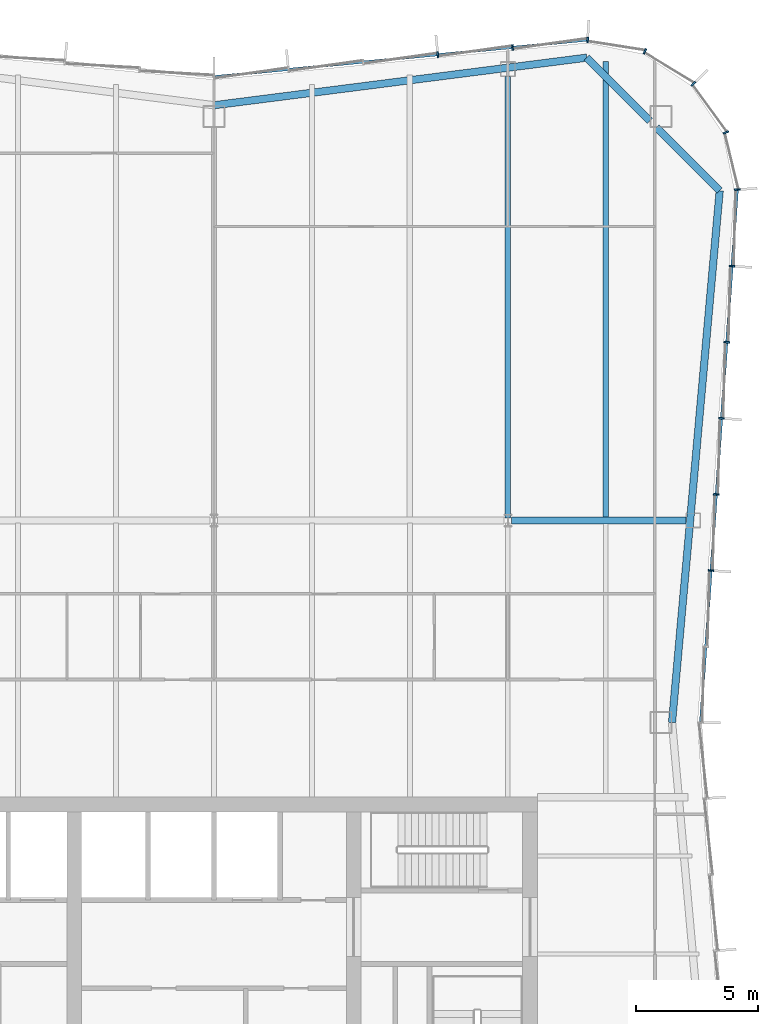
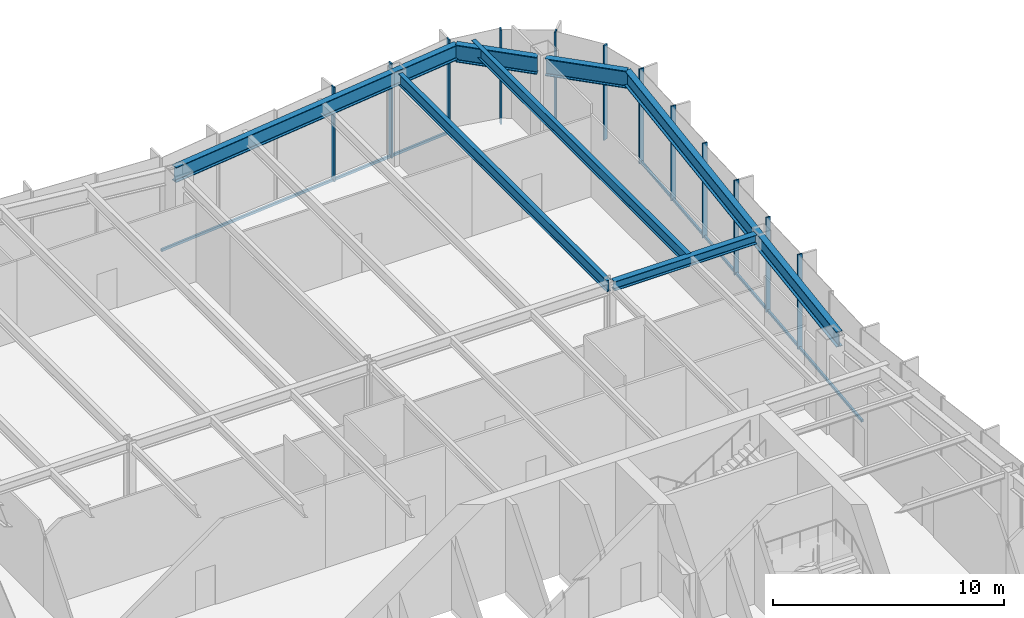
# One storey, part 7 of 14: 14 members, 7 beams, 3 elements without a shape of their own.
"""IFC4 building model written with IfcOpenShell, lengths in metres."""

from ifc_helpers import new_model, si_unit, direction, frame, origin, origin_2d, place, context, subcontext, project, spatial, rectangle, i_section, extrude, material, material_profile, profile_set, type_object, element, aggregate, save


model = new_model("IFC4")

# Units and contexts
model_context = context("Model", 3, precision=1e-05, world=origin(), true_north=direction((0.0, 1.0)))
body_context = subcontext(model_context, "Body", "Model", "MODEL_VIEW")
ifc_project = project(units=[si_unit("LENGTHUNIT", "METRE"), si_unit("AREAUNIT", "SQUARE_METRE"), si_unit("VOLUMEUNIT", "CUBIC_METRE"), si_unit("PLANEANGLEUNIT", "RADIAN"), si_unit("MASSUNIT", "GRAM", prefix="KILO")], contexts=[model_context])

# Site, building, storey
site_placement = place(None, origin())
site = spatial("IfcSite", under=ifc_project, at=site_placement, CompositionType="ELEMENT")
building_placement = place(site_placement, origin())
building = spatial("IfcBuilding", under=site, at=building_placement, Name="Verdant Reach Tower", CompositionType="ELEMENT")
storey_placement = place(building_placement, frame((0.0, 0.0, 289.0)))
storey = spatial("IfcBuildingStorey", under=building, at=storey_placement, Name="L66", CompositionType="ELEMENT", Elevation=289.0)

# Curtain wall, members
ifc_material_1 = material(Name="Anodised aluminium", Category="aluminium")
curtain_wall_type = type_object("IfcCurtainWallType", Name="EN-CW SYSTEM Z5", PredefinedType="NOTDEFINED", material=ifc_material_1)
curtain_wall_1_placement = place(storey_placement, origin())
curtain_wall_1 = element("IfcCurtainWall", 1, at=curtain_wall_1_placement, inside=storey, type_object=curtain_wall_type, Name="Curtain wall east, L66", PredefinedType="NOTDEFINED")
ifc_material_profile_1 = material_profile(ifc_material_1, rectangle(XDim=0.22998046875, YDim=0.070068359375, at=origin_2d()), Name="Mullion 70x230")
ifc_profile_set_1 = profile_set([ifc_material_profile_1], Name="Anodised aluminium")
member_type_1 = type_object("IfcMemberType", Name="EN-MULLION Z5", PredefinedType="MULLION", material=ifc_profile_set_1)
member_1_placement = place(storey_placement, frame((20.293212890625, 47.456298828125, -0.35009765625), z_axis=(0.0, 0.0, 1.0), x_axis=(0.997630328423, -0.068802091615, 0.0)))
member_1 = element("IfcMember", 2, at=member_1_placement, type_object=member_type_1, Name="Mullion east face part 2 3, L66", PredefinedType="MULLION", context=body_context, shape_type="SweptSolid", body=[
    extrude(rectangle(XDim=0.22998046875, YDim=0.070068359375, at=origin_2d()), origin(), (0.0, 0.0, 1.0), 5.0),
])
member_2_placement = place(storey_placement, frame((20.507568359375, 50.5634765625, -0.35009765625), z_axis=(0.0, 0.0, 1.0), x_axis=(0.997630328423, -0.068802091615, 0.0)))
member_2 = element("IfcMember", 3, at=member_2_placement, type_object=member_type_1, Name="Mullion east face part 2 4, L66", PredefinedType="MULLION", context=body_context, shape_type="SweptSolid", body=[
    extrude(rectangle(XDim=0.22998046875, YDim=0.070068359375, at=origin_2d()), origin(), (0.0, 0.0, 1.0), 5.0),
])
member_3_placement = place(storey_placement, frame((20.721923828125, 53.670654296875, -0.35009765625), z_axis=(0.0, 0.0, 1.0), x_axis=(0.997630328423, -0.068802091615, 0.0)))
member_3 = element("IfcMember", 4, at=member_3_placement, type_object=member_type_1, Name="Mullion east face part 2 5, L66", PredefinedType="MULLION", context=body_context, shape_type="SweptSolid", body=[
    extrude(rectangle(XDim=0.22998046875, YDim=0.070068359375, at=origin_2d()), origin(), (0.0, 0.0, 1.0), 5.0),
])
member_4_placement = place(storey_placement, frame((20.93603515625, 56.77783203125, -0.35009765625), z_axis=(0.0, 0.0, 1.0), x_axis=(0.997630328423, -0.068802091615, 0.0)))
member_4 = element("IfcMember", 5, at=member_4_placement, type_object=member_type_1, Name="Mullion east face part 2 6, L66", PredefinedType="MULLION", context=body_context, shape_type="SweptSolid", body=[
    extrude(rectangle(XDim=0.22998046875, YDim=0.070068359375, at=origin_2d()), origin(), (0.0, 0.0, 1.0), 5.0),
])
member_5_placement = place(storey_placement, frame((21.150390625, 59.885009765625, -0.35009765625), z_axis=(0.0, 0.0, 1.0), x_axis=(0.997630328423, -0.068802091615, 0.0)))
member_5 = element("IfcMember", 6, at=member_5_placement, type_object=member_type_1, Name="Mullion east face part 2 7, L66", PredefinedType="MULLION", context=body_context, shape_type="SweptSolid", body=[
    extrude(rectangle(XDim=0.22998046875, YDim=0.070068359375, at=origin_2d()), origin(), (0.0, 0.0, 1.0), 5.0),
])

curtain_wall_2_placement = place(storey_placement, origin())
curtain_wall_2 = element("IfcCurtainWall", 7, at=curtain_wall_2_placement, inside=storey, type_object=curtain_wall_type, Name="Curtain wall north-east corner, L66", PredefinedType="NOTDEFINED")
member_6_placement = place(storey_placement, frame((21.36474609375, 63.00732421875, -0.35009765625), z_axis=(0.0, 0.0, 1.0), x_axis=(0.997969180898, 0.063698618332, 0.0)))
member_6 = element("IfcMember", 8, at=member_6_placement, type_object=member_type_1, Name="Mullion north-east corner 1, L66", PredefinedType="MULLION", context=body_context, shape_type="SweptSolid", body=[
    extrude(rectangle(XDim=0.22998046875, YDim=0.070068359375, at=origin_2d()), origin(), (0.0, 0.0, 1.0), 5.0),
])
member_7_placement = place(storey_placement, frame((20.899658203125, 65.340087890625, -0.35009765625), z_axis=(0.0, 0.0, 1.0), x_axis=(0.923875215753, 0.382693853776, 0.0)))
member_7 = element("IfcMember", 9, at=member_7_placement, type_object=member_type_1, Name="Mullion north-east corner 2, L66", PredefinedType="MULLION", context=body_context, shape_type="SweptSolid", body=[
    extrude(rectangle(XDim=0.22998046875, YDim=0.070068359375, at=origin_2d()), origin(), (0.0, 0.0, 1.0), 5.0),
])
member_8_placement = place(storey_placement, frame((19.573974609375, 67.323974609375, -0.35009765625), z_axis=(0.0, 0.0, 1.0), x_axis=(0.707106781187, 0.707106781187, 0.0)))
member_8 = element("IfcMember", 10, at=member_8_placement, type_object=member_type_1, Name="Mullion north-east corner 3, L66", PredefinedType="MULLION", context=body_context, shape_type="SweptSolid", body=[
    extrude(rectangle(XDim=0.22998046875, YDim=0.070068359375, at=origin_2d()), origin(), (0.0, 0.0, 1.0), 5.0),
])
member_9_placement = place(storey_placement, frame((17.590087890625, 68.649658203125, -0.35009765625), z_axis=(0.0, 0.0, 1.0), x_axis=(0.382693853776, 0.923875215753, 0.0)))
member_9 = element("IfcMember", 11, at=member_9_placement, type_object=member_type_1, Name="Mullion north-east corner 4, L66", PredefinedType="MULLION", context=body_context, shape_type="SweptSolid", body=[
    extrude(rectangle(XDim=0.22998046875, YDim=0.070068359375, at=origin_2d()), origin(), (0.0, 0.0, 1.0), 5.0),
])
aggregate(curtain_wall_2, [member_6, member_7, member_8, member_9])

curtain_wall_3_placement = place(storey_placement, origin())
curtain_wall_3 = element("IfcCurtainWall", 12, at=curtain_wall_3_placement, inside=storey, type_object=curtain_wall_type, Name="Curtain wall north, L66", PredefinedType="NOTDEFINED")
member_10_placement = place(storey_placement, frame((15.255615234375, 69.11474609375, -0.35009765625), z_axis=(0.0, 0.0, 1.0), x_axis=(0.049127596288, 0.998792510626, 0.0)))
member_10 = element("IfcMember", 13, at=member_10_placement, type_object=member_type_1, Name="Mullion north face part 1 1, L66", PredefinedType="MULLION", context=body_context, shape_type="SweptSolid", body=[
    extrude(rectangle(XDim=0.22998046875, YDim=0.070068359375, at=origin_2d()), origin(), (0.0, 0.0, 1.0), 5.0),
])
member_11_placement = place(storey_placement, frame((12.188720703125, 68.814453125, -0.35009765625), z_axis=(0.0, 0.0, 1.0), x_axis=(-0.09788826992, 0.995197410875, 0.0)))
member_11 = element("IfcMember", 14, at=member_11_placement, type_object=member_type_1, Name="Mullion north face part 1 2, L66", PredefinedType="MULLION", context=body_context, shape_type="SweptSolid", body=[
    extrude(rectangle(XDim=0.22998046875, YDim=0.070068359375, at=origin_2d()), origin(), (0.0, 0.0, 1.0), 5.0),
])
member_12_placement = place(storey_placement, frame((9.138671875, 68.514404296875, -0.35009765625), z_axis=(0.0, 0.0, 1.0), x_axis=(-0.09788826992, 0.995197410875, 0.0)))
member_12 = element("IfcMember", 15, at=member_12_placement, type_object=member_type_1, Name="Mullion north face part 1 3, L66", PredefinedType="MULLION", context=body_context, shape_type="SweptSolid", body=[
    extrude(rectangle(XDim=0.22998046875, YDim=0.070068359375, at=origin_2d()), origin(), (0.0, 0.0, 1.0), 5.0),
])

# Member
ifc_material_profile_2 = material_profile(ifc_material_1, rectangle(XDim=0.10009765625, YDim=0.1298828125, at=origin_2d()), Name="Transom 130x100")
ifc_profile_set_2 = profile_set([ifc_material_profile_2], Name="Anodised aluminium")
member_type_2 = type_object("IfcMemberType", Name="EN-TRANSOM Z5", PredefinedType="USERDEFINED", material=ifc_profile_set_2)
member_13_placement = place(storey_placement, frame((19.867431640625, 41.284912109375, -0.284912109375), z_axis=(0.068764705107, 0.997632906099, 0.0), x_axis=(-0.997632906099, 0.068764705107, 0.0)))
member_13 = element("IfcMember", 16, at=member_13_placement, type_object=member_type_2, Name="Transom east face part 2 1.1, L66", ObjectType="TRANSOM", PredefinedType="USERDEFINED", context=body_context, shape_type="SweptSolid", body=[
    extrude(rectangle(XDim=0.10009765625, YDim=0.1298828125, at=origin_2d()), origin(), (0.0, 0.0, 1.0), 21.739013671875),
])

aggregate(curtain_wall_1, [member_1, member_2, member_3, member_4, member_5, member_13])

member_14_placement = place(storey_placement, frame((15.220703125, 69.111328125, -0.284912109375), z_axis=(-0.99520229006, -0.097838652171, 0.0), x_axis=(0.097838652171, -0.99520229006, 0.0)))
member_14 = element("IfcMember", 17, at=member_14_placement, type_object=member_type_2, Name="Transom north face part 1 1.1, L66", ObjectType="TRANSOM", PredefinedType="USERDEFINED", context=body_context, shape_type="SweptSolid", body=[
    extrude(rectangle(XDim=0.10009765625, YDim=0.1298828125, at=origin_2d()), origin(), (0.0, 0.0, 1.0), 15.259033203125),
])

aggregate(curtain_wall_3, [member_10, member_11, member_12, member_14])

# Beams
ifc_material_2 = material(Name="Steel S355", Category="steel")
ifc_material_profile_3 = material_profile(ifc_material_2, i_section(OverallWidth=0.300048828125, OverallDepth=0.489990234375, WebThickness=0.011962890625, FlangeThickness=0.02294921875, FilletRadius=0.027099609375, at=origin_2d()), Name="HEA 500")
ifc_profile_set_3 = profile_set([ifc_material_profile_3], Name="Steel S355")
beam_type_1 = type_object("IfcBeamType", Name="ST-BEAM-HEA500", PredefinedType="BEAM", material=ifc_profile_set_3)
beam_1_placement = place(storey_placement, frame((12.153076171875, 49.5, 4.625), z_axis=(1.0, 0.0, 0.0), x_axis=(0.0, 1.0, 0.0)))
element("IfcBeam", 18, at=beam_1_placement, inside=storey, type_object=beam_type_1, Name="Row girder, L66", PredefinedType="BEAM", context=body_context, shape_type="SweptSolid", body=[
    extrude(i_section(OverallWidth=0.300048828125, OverallDepth=0.489990234375, WebThickness=0.011962890625, FlangeThickness=0.02294921875, FilletRadius=0.027099609375, at=origin_2d()), origin(), (0.0, 0.0, 1.0), 7.115966796875),
])
ifc_material_profile_4 = material_profile(ifc_material_2, i_section(OverallWidth=0.219970703125, OverallDepth=0.60009765625, WebThickness=0.011962890625, FlangeThickness=0.01904296875, FilletRadius=0.02392578125, at=origin_2d()), Name="IPE 600")
ifc_profile_set_4 = profile_set([ifc_material_profile_4], Name="Steel S355")
beam_type_2 = type_object("IfcBeamType", Name="ST-JOIST-IPE600", PredefinedType="JOIST", material=ifc_profile_set_4)
beam_2_placement = place(storey_placement, frame((12.0, 49.60009765625, 4.570068359375), z_axis=(0.0, 1.0, 0.0), x_axis=(-1.0, 0.0, 0.0)))
element("IfcBeam", 19, at=beam_2_placement, inside=storey, type_object=beam_type_2, Name="Floor joist, L66", PredefinedType="JOIST", context=body_context, shape_type="SweptSolid", body=[
    extrude(i_section(OverallWidth=0.219970703125, OverallDepth=0.60009765625, WebThickness=0.011962890625, FlangeThickness=0.01904296875, FilletRadius=0.02392578125, at=origin_2d()), origin(), (0.0, 0.0, 1.0), 18.0302734375),
])
beam_3_placement = place(storey_placement, frame((16.0, 49.60009765625, 4.570068359375), z_axis=(0.0, 1.0, 0.0), x_axis=(-1.0, 0.0, 0.0)))
element("IfcBeam", 20, at=beam_3_placement, inside=storey, type_object=beam_type_2, Name="Floor joist, L66", PredefinedType="JOIST", context=body_context, shape_type="SweptSolid", body=[
    extrude(i_section(OverallWidth=0.219970703125, OverallDepth=0.60009765625, WebThickness=0.011962890625, FlangeThickness=0.01904296875, FilletRadius=0.02392578125, at=origin_2d()), origin(), (0.0, 0.0, 1.0), 18.638916015625),
])
ifc_material_profile_5 = material_profile(ifc_material_2, i_section(OverallWidth=0.300048828125, OverallDepth=0.800048828125, WebThickness=0.017578125, FlangeThickness=0.032958984375, FilletRadius=0.030029296875, at=origin_2d()), Name="HEB 800")
ifc_profile_set_5 = profile_set([ifc_material_profile_5], Name="Steel S355")
beam_type_3 = type_object("IfcBeamType", Name="ST-SPANDREL-HEB800", PredefinedType="SPANDREL", material=ifc_profile_set_5)
beam_4_placement = place(storey_placement, frame((0.0, 66.449951171875, 4.469970703125), z_axis=(0.991938889669, 0.126717162063, 0.0), x_axis=(-0.126717162063, 0.991938889669, 0.0)))
element("IfcBeam", 21, at=beam_4_placement, inside=storey, type_object=beam_type_3, Name="Edge beam, L66", PredefinedType="SPANDREL", context=body_context, shape_type="SweptSolid", body=[
    extrude(i_section(OverallWidth=0.300048828125, OverallDepth=0.800048828125, WebThickness=0.017578125, FlangeThickness=0.032958984375, FilletRadius=0.030029296875, at=origin_2d()), origin(), (0.0, 0.0, 1.0), 15.343994140625),
])
beam_5_placement = place(storey_placement, frame((20.64599609375, 62.96142578125, 4.469970703125), z_axis=(-0.089274399498, -0.996007069048, 0.0), x_axis=(0.996007069048, -0.089274399498, 0.0)))
element("IfcBeam", 22, at=beam_5_placement, inside=storey, type_object=beam_type_3, Name="Edge beam, L66", PredefinedType="SPANDREL", context=body_context, shape_type="SweptSolid", body=[
    extrude(i_section(OverallWidth=0.300048828125, OverallDepth=0.800048828125, WebThickness=0.017578125, FlangeThickness=0.032958984375, FilletRadius=0.030029296875, at=origin_2d()), origin(), (0.0, 0.0, 1.0), 21.798583984375),
])
ifc_material_profile_6 = material_profile(ifc_material_2, i_section(OverallWidth=0.302001953125, OverallDepth=0.909912109375, WebThickness=0.02099609375, FlangeThickness=0.0400390625, FilletRadius=0.030029296875, at=origin_2d()), Name="HEM 900")
ifc_profile_set_6 = profile_set([ifc_material_profile_6], Name="Steel S355")
beam_type_4 = type_object("IfcBeamType", Name="ST-SPANDREL-HEM900", PredefinedType="SPANDREL", material=ifc_profile_set_6)
beam_6_placement = place(storey_placement, frame((15.22021484375, 68.394287109375, 4.4150390625), z_axis=(0.706638520854, -0.707574731632, 0.0), x_axis=(0.707574731632, 0.706638520854, 0.0)))
element("IfcBeam", 23, at=beam_6_placement, inside=storey, type_object=beam_type_4, Name="Edge beam, L66", PredefinedType="SPANDREL", context=body_context, shape_type="SweptSolid", body=[
    extrude(i_section(OverallWidth=0.302001953125, OverallDepth=0.909912109375, WebThickness=0.02099609375, FlangeThickness=0.0400390625, FilletRadius=0.030029296875, at=origin_2d()), origin(), (0.0, 0.0, 1.0), 3.65087890625),
])
beam_7_placement = place(storey_placement, frame((18.060791015625, 65.550048828125, 4.4150390625), z_axis=(0.706639493403, -0.707573760369, 0.0), x_axis=(0.707573760369, 0.706639493403, 0.0)))
element("IfcBeam", 24, at=beam_7_placement, inside=storey, type_object=beam_type_4, Name="Edge beam, L66", PredefinedType="SPANDREL", context=body_context, shape_type="SweptSolid", body=[
    extrude(i_section(OverallWidth=0.302001953125, OverallDepth=0.909912109375, WebThickness=0.02099609375, FlangeThickness=0.0400390625, FilletRadius=0.030029296875, at=origin_2d()), origin(), (0.0, 0.0, 1.0), 3.658447265625),
])

save(model, "model.ifc")
